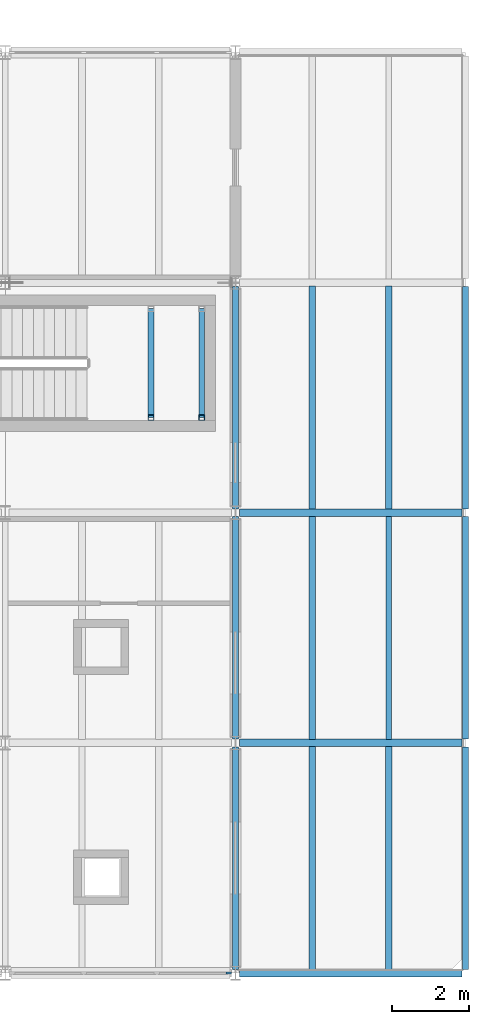
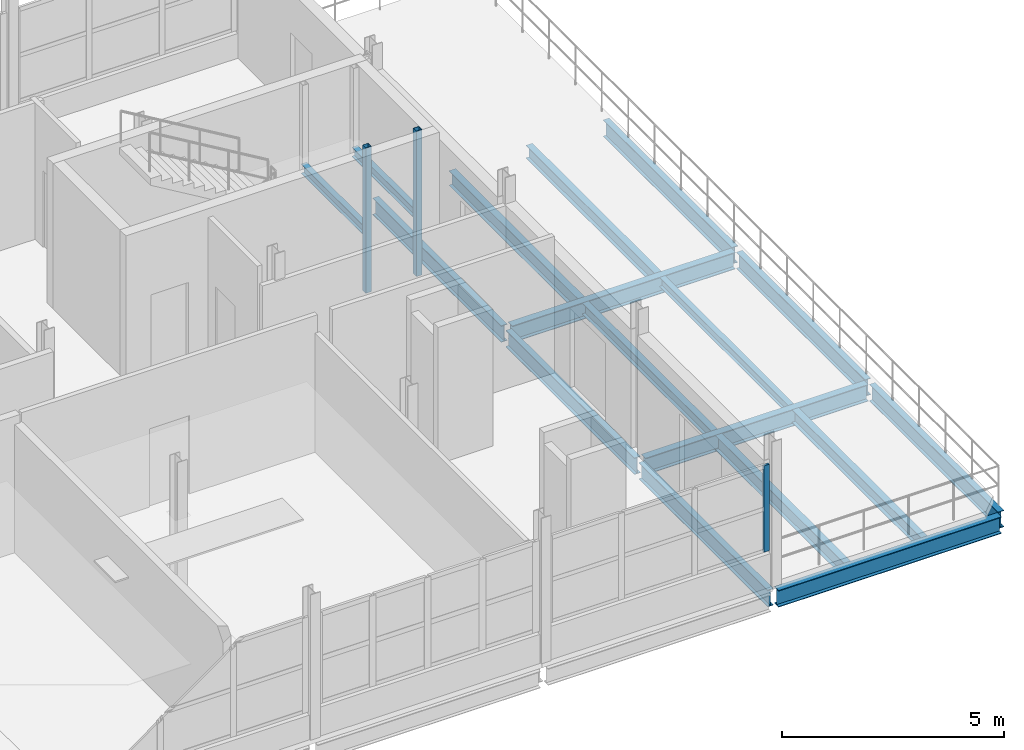
# One storey, part 9 of 23: 17 beams, 3 members, 1 element without a shape of its own.
"""IFC4 building model written with IfcOpenShell, lengths in metres."""

import ifcopenshell
import ifcopenshell.guid

model = None  # the IFC model being written
_history = None  # IfcOwnerHistory: only IFC2X3 demands one
_inside = {}  # id of a spatial element -> (the spatial element, [elements in it])
_under = {}  # id of a project, library or spatial element -> (it, [spatial elements below it])
_declared = {}  # id of a project -> (the project, [libraries it declares])
_typed = {}  # id of a type object -> (the type object, [elements of that type])
_made_of = {}  # id of a material, layer set ... -> (it, [elements and type objects made of it])


def new_model(schema):
    """Start an empty IFC model of exactly this schema.

    Asked for "IFC4X3", IfcOpenShell would pick the latest addendum, in which some entities
    have other attributes; the version numbers below select the first issue.
    IFC2X3 requires an IfcOwnerHistory on every rooted entity: one is made here for all.
    """
    global model, _history
    if schema == "IFC4X3":
        model = ifcopenshell.file(schema_version=(4, 3, 0, 0))
    else:
        model = ifcopenshell.file(schema=schema)
    _inside.clear()
    _under.clear()
    _declared.clear()
    _typed.clear()
    _made_of.clear()
    _history = None
    if model.schema == "IFC2X3":
        org = make("IfcOrganization", Name="unknown")
        user = make(
            "IfcPersonAndOrganization",
            ThePerson=make("IfcPerson", FamilyName="unknown"),
            TheOrganization=org,
        )
        app = make(
            "IfcApplication",
            ApplicationDeveloper=org,
            Version="unknown",
            ApplicationFullName="unknown",
            ApplicationIdentifier="unknown",
        )
        _history = make(
            "IfcOwnerHistory",
            OwningUser=user,
            OwningApplication=app,
            ChangeAction="ADDED",
            CreationDate=0,
        )
    return model


def make(cls, **values):
    """One entity of the class cls with the attributes given. An attribute that is None is left unset."""
    return model.create_entity(
        cls, **{name: value for name, value in values.items() if value is not None}
    )


def rooted(cls, **values):
    """An entity with a GlobalId (a new one), such as an element, a storey or a relation."""
    return make(cls, GlobalId=ifcopenshell.guid.new(), OwnerHistory=_history, **values)


def si_unit(unit_type, name, prefix=None):
    """IfcSIUnit, for example si_unit("LENGTHUNIT", "METRE", prefix="MILLI")."""
    return make("IfcSIUnit", UnitType=unit_type, Prefix=prefix, Name=name)


def assignment(units):
    """IfcUnitAssignment: the units of a project."""
    return None if units is None else make("IfcUnitAssignment", Units=units)


def point(xyz):
    """IfcCartesianPoint."""
    return None if xyz is None else make("IfcCartesianPoint", Coordinates=xyz)


def direction(xyz):
    """IfcDirection."""
    return None if xyz is None else make("IfcDirection", DirectionRatios=xyz)


def frame(location, z_axis=None, x_axis=None):
    """IfcAxis2Placement3D, a coordinate frame: its origin and axes. An axis left out is left unset."""
    return make(
        "IfcAxis2Placement3D",
        Location=point(location),
        Axis=direction(z_axis),
        RefDirection=direction(x_axis),
    )


def frame_2d(location, x_axis=None):
    """IfcAxis2Placement2D, a coordinate frame in the plane: its origin and x axis."""
    return make(
        "IfcAxis2Placement2D", Location=point(location), RefDirection=direction(x_axis)
    )


def origin():
    """The frame at (0, 0, 0) with its axes left unset."""
    return frame((0.0, 0.0, 0.0))


def origin_2d():
    """The frame at (0, 0) in the plane with its x axis left unset."""
    return frame_2d((0.0, 0.0))


def place(relative_to, where):
    """IfcLocalPlacement: puts the frame where relative to a parent placement (None: the world)."""
    return make(
        "IfcLocalPlacement", PlacementRelTo=relative_to, RelativePlacement=where
    )


def context(
    kind, dimensions, precision=None, world=None, true_north=None, identifier=None
):
    """IfcGeometricRepresentationContext, for example the 3D "Model" context."""
    return make(
        "IfcGeometricRepresentationContext",
        ContextIdentifier=identifier,
        ContextType=kind,
        CoordinateSpaceDimension=dimensions,
        Precision=precision,
        WorldCoordinateSystem=world,
        TrueNorth=true_north,
    )


def subcontext(parent, identifier, kind, view, scale=None):
    """IfcGeometricRepresentationSubContext, for example "Body" below "Model"."""
    return make(
        "IfcGeometricRepresentationSubContext",
        ContextIdentifier=identifier,
        ContextType=kind,
        ParentContext=parent,
        TargetScale=scale,
        TargetView=view,
    )


def project(units=None, contexts=None):
    """IfcProject with its units and contexts."""
    return rooted(
        "IfcProject",
        Name="project",
        RepresentationContexts=contexts,
        UnitsInContext=assignment(units),
    )


def spatial(cls, under=None, at=None, **own):
    """A site, building, storey or space (cls), placed at a placement, below another one or the project."""
    s = rooted(cls, ObjectPlacement=at, **own)
    if under is not None:
        _under.setdefault(under.id(), (under, []))[1].append(s)
    return s


def profile(cls, at=None, kind="AREA", **sizes):
    """A parametric profile (cls). Its sizes go by their IFC names, for example OverallWidth=200.0."""
    return make(cls, ProfileType=kind, Position=at, **sizes)


def rectangle(**sizes):
    """IfcRectangleProfileDef."""
    return profile("IfcRectangleProfileDef", **sizes)


def hollow_rectangle(**sizes):
    """IfcRectangleHollowProfileDef."""
    return profile("IfcRectangleHollowProfileDef", **sizes)


def i_section(**sizes):
    """IfcIShapeProfileDef."""
    return profile("IfcIShapeProfileDef", **sizes)


def extrude(swept, where, along, depth):
    """IfcExtrudedAreaSolid: the profile swept, set in the frame where, extruded along a direction by depth."""
    return make(
        "IfcExtrudedAreaSolid",
        SweptArea=swept,
        Position=where,
        ExtrudedDirection=direction(along),
        Depth=depth,
    )


def shape(context_of_items, identifier, shape_type, items):
    """IfcShapeRepresentation: the items that make up one representation, for example the "Body"."""
    return make(
        "IfcShapeRepresentation",
        ContextOfItems=context_of_items,
        RepresentationIdentifier=identifier,
        RepresentationType=shape_type,
        Items=items,
    )


def material(Name=None, Category=None):
    """IfcMaterial."""
    return make("IfcMaterial", Name=Name, Category=Category)


def material_profile(
    of_material, cross_section, Name=None, Category=None, Priority=None
):
    """IfcMaterialProfile: a cross section and its material."""
    return make(
        "IfcMaterialProfile",
        Name=Name,
        Material=of_material,
        Profile=cross_section,
        Priority=Priority,
        Category=Category,
    )


def profile_set(profiles, Name=None, composite=None):
    """IfcMaterialProfileSet."""
    return make(
        "IfcMaterialProfileSet",
        Name=Name,
        MaterialProfiles=profiles,
        CompositeProfile=composite,
    )


def made_of(thing, what):
    """Note that an element or type object is made of a material, layer set ...; save() writes the relation."""
    if what is not None:
        _made_of.setdefault(what.id(), (what, []))[1].append(thing)
    return thing


def type_object(cls, material=None, **own):
    """A type object (cls), such as IfcWallType, which elements share."""
    return made_of(rooted(cls, **own), material)


def element(
    cls,
    number,
    at=None,
    inside=None,
    cuts=None,
    type_object=None,
    material=None,
    context=None,
    identifier="Body",
    shape_type=None,
    held_by="IfcProductDefinitionShape",
    body=None,
    shapes=None,
    **own,
):
    """One element of the class cls, such as IfcWall. Its Tag is "e" and its number.

    at: its placement. inside: the storey or other place that contains it. cuts: it is an
    opening in that element (IfcRelVoidsElement). A single representation is given by context,
    identifier, shape_type and body (its items); several are given by shapes. held_by: the class
    of the entity that holds the representations. save() writes the other relations.
    """
    e = rooted(cls, Tag="e%d" % number, ObjectPlacement=at, **own)
    if body is not None:
        shapes = [shape(context, identifier, shape_type, body)]
    if shapes is not None:
        e.Representation = make(held_by, Representations=shapes)
    if inside is not None:
        _inside.setdefault(inside.id(), (inside, []))[1].append(e)
    if cuts is not None:
        rooted(
            "IfcRelVoidsElement", RelatingBuildingElement=cuts, RelatedOpeningElement=e
        )
    if type_object is not None:
        _typed.setdefault(type_object.id(), (type_object, []))[1].append(e)
    return made_of(e, material)


def aggregate(whole, parts):
    """IfcRelAggregates: a whole, such as a stair, and the parts it consists of."""
    return rooted("IfcRelAggregates", RelatingObject=whole, RelatedObjects=parts)


def save(model, path):
    """Write the relations noted so far, then the file.

    IfcRelAggregates (storeys below a building ...), IfcRelContainedInSpatialStructure (elements
    in a storey), IfcRelDefinesByType, IfcRelAssociatesMaterial and IfcRelDeclares: one each for
    every whole, place, type object, material and project.
    """
    for whole, parts in _under.values():
        aggregate(whole, parts)
    for where, things in _inside.values():
        rooted(
            "IfcRelContainedInSpatialStructure",
            RelatedElements=things,
            RelatingStructure=where,
        )
    for kind, things in _typed.values():
        rooted("IfcRelDefinesByType", RelatedObjects=things, RelatingType=kind)
    for what, things in _made_of.values():
        rooted("IfcRelAssociatesMaterial", RelatedObjects=things, RelatingMaterial=what)
    for by, libraries in _declared.values():
        rooted("IfcRelDeclares", RelatingContext=by, RelatedDefinitions=libraries)
    model.write(path)


model = new_model("IFC4")

# Units and contexts
model_context = context("Model", 3, precision=1e-05, world=origin(), true_north=direction((0.0, 1.0)))
body_context = subcontext(model_context, "Body", "Model", "MODEL_VIEW")
ifc_project = project(units=[si_unit("LENGTHUNIT", "METRE"), si_unit("AREAUNIT", "SQUARE_METRE"), si_unit("VOLUMEUNIT", "CUBIC_METRE"), si_unit("PLANEANGLEUNIT", "RADIAN"), si_unit("MASSUNIT", "GRAM", prefix="KILO")], contexts=[model_context])

# Site, building, storey
site_placement = place(None, origin())
site = spatial("IfcSite", under=ifc_project, at=site_placement, CompositionType="ELEMENT")
building_placement = place(site_placement, origin())
building = spatial("IfcBuilding", under=site, at=building_placement, Name="Siltcreek Boulevard Central Fire Station", CompositionType="ELEMENT")
storey_placement = place(building_placement, frame((0.0, 0.0, 14.0)))
storey = spatial("IfcBuildingStorey", under=building, at=storey_placement, Name="L04", CompositionType="ELEMENT", Elevation=14.0)

# Beams
ifc_material_1 = material(Name="Structural steel ASTM A992 Gr50", Category="steel")
ifc_material_profile_1 = material_profile(ifc_material_1, i_section(OverallWidth=0.154052734375, OverallDepth=0.458984375, WebThickness=0.009033203125, FlangeThickness=0.015380859375, at=origin_2d()), Name="W460X68")
ifc_profile_set_1 = profile_set([ifc_material_profile_1], Name="Structural steel ASTM A992 Gr50")
beam_type_1 = type_object("IfcBeamType", Name="BM_W460X68", PredefinedType="BEAM", material=ifc_profile_set_1)
for number, where, z_axis, x_axis, name in (
    (1, (154.199951171875, 88.300048828125, -0.489501953125), (0.0, 1.0, 0.0), (-1.0, 0.0, 0.0), "L04 primary steel girder GY-0586"),
    (2, (154.199951171875, 94.300048828125, -0.489501953125), (0.0, 1.0, 0.0), (-1.0, 0.0, 0.0), "L04 primary steel girder GY-0587"),
    (3, (154.199951171875, 100.300048828125, -0.489501953125), (0.0, 1.0, 0.0), (-1.0, 0.0, 0.0), "L04 primary steel girder GY-0588"),
    (4, (160.199951171875, 88.300048828125, -0.439453125), (0.0, 1.0, 0.0), (-1.0, 0.0, 0.0), "L04 primary steel girder GY-0590"),
    (5, (160.199951171875, 94.300048828125, -0.439453125), (0.0, 1.0, 0.0), (-1.0, 0.0, 0.0), "L04 primary steel girder GY-0591"),
    (6, (160.199951171875, 100.300048828125, -0.439453125), (0.0, 1.0, 0.0), (-1.0, 0.0, 0.0), "L04 primary steel girder GY-0592"),
):
    element("IfcBeam", number, at=place(storey_placement, frame(where, z_axis=z_axis, x_axis=x_axis)), inside=storey, type_object=beam_type_1, Name=name, PredefinedType="BEAM", context=body_context, shape_type="SweptSolid", body=[
        extrude(i_section(OverallWidth=0.154052734375, OverallDepth=0.458984375, WebThickness=0.009033203125, FlangeThickness=0.015380859375, at=origin_2d()), origin(), (0.0, 0.0, 1.0), 5.800048828125),
    ])
ifc_material_profile_2 = material_profile(ifc_material_1, i_section(OverallWidth=0.19189453125, OverallDepth=0.462890625, WebThickness=0.010498046875, FlangeThickness=0.017578125, at=origin_2d()), Name="W460X89")
ifc_profile_set_2 = profile_set([ifc_material_profile_2], Name="Structural steel ASTM A992 Gr50")
beam_type_2 = type_object("IfcBeamType", Name="BM_W460X89", PredefinedType="BEAM", material=ifc_profile_set_2)
for number, where, z_axis, x_axis, name in (
    (7, (154.300048828125, 88.199951171875, -0.44140625), (1.0, 0.0, 0.0), (0.0, 1.0, 0.0), "L04 primary steel girder GX-0543"),
    (8, (154.300048828125, 94.199951171875, -0.44140625), (1.0, 0.0, 0.0), (0.0, 1.0, 0.0), "L04 primary steel girder GX-0549"),
    (9, (154.300048828125, 100.199951171875, -0.44140625), (1.0, 0.0, 0.0), (0.0, 1.0, 0.0), "L04 primary steel girder GX-0555"),
):
    element("IfcBeam", number, at=place(storey_placement, frame(where, z_axis=z_axis, x_axis=x_axis)), inside=storey, type_object=beam_type_2, Name=name, PredefinedType="BEAM", context=body_context, shape_type="SweptSolid", body=[
        extrude(i_section(OverallWidth=0.19189453125, OverallDepth=0.462890625, WebThickness=0.010498046875, FlangeThickness=0.017578125, at=origin_2d()), origin(), (0.0, 0.0, 1.0), 5.800048828125),
    ])

# Members
ifc_material_2 = material(Name="Structural steel ASTM A500 GrC", Category="steel")
ifc_material_profile_3 = material_profile(ifc_material_2, hollow_rectangle(XDim=0.14990234375, YDim=0.14990234375, WallThickness=0.008056640625, at=origin_2d()), Name="HSS150X150X8.0")
ifc_profile_set_3 = profile_set([ifc_material_profile_3], Name="Structural steel ASTM A500 GrC")
member_type_1 = type_object("IfcMemberType", Name="BR_HSS150_8", PredefinedType="BRACE", material=ifc_profile_set_3)
for number, where, z_axis, x_axis, name in (
    (10, (152.0, 102.679931640625, 0.0), (0.0, 0.0, 1.0), (1.0, 0.0, 0.0), "L04 ST-V5B stair landing corner post SW"),
    (11, (153.320068359375, 102.679931640625, 0.0), (0.0, 0.0, 1.0), (1.0, 0.0, 0.0), "L04 ST-V5B stair landing corner post SE"),
):
    element("IfcMember", number, at=place(storey_placement, frame(where, z_axis=z_axis, x_axis=x_axis)), inside=storey, type_object=member_type_1, Name=name, PredefinedType="BRACE", context=body_context, shape_type="SweptSolid", body=[
        extrude(hollow_rectangle(XDim=0.14990234375, YDim=0.14990234375, WallThickness=0.008056640625, at=origin_2d()), origin(), (0.0, 0.0, 1.0), 4.0),
    ])

# Curtain wall, member
ifc_material_3 = material(Name="Anodized aluminum and low-E insulated glazing", Category="aluminium")
curtain_wall_type = type_object("IfcCurtainWallType", Name="CW_SYS_18", PredefinedType="USERDEFINED", material=ifc_material_3)
curtain_wall_placement = place(storey_placement, origin())
curtain_wall = element("IfcCurtainWall", 12, at=curtain_wall_placement, inside=storey, type_object=curtain_wall_type, Name="L04 V5 unitised curtain wall CW-167", ObjectType="CURTAIN WALL", PredefinedType="USERDEFINED")
ifc_material_4 = material(Name="Anodized 6063-T6 aluminum framing", Category="aluminium")
ifc_material_profile_4 = material_profile(ifc_material_4, rectangle(XDim=0.06005859375, YDim=0.14990234375, at=origin_2d()), Name="MULL60X150")
ifc_profile_set_4 = profile_set([ifc_material_profile_4], Name="Anodized 6063-T6 aluminum framing")
member_type_2 = type_object("IfcMemberType", Name="CWM_60X150", PredefinedType="MULLION", material=ifc_profile_set_4)
member_placement = place(storey_placement, frame((154.02490234375, 88.199951171875, 0.919921875), z_axis=(0.0, 0.0, 1.0), x_axis=(0.0, 1.0, 0.0)))
member = element("IfcMember", 13, at=member_placement, type_object=member_type_2, Name="CW-167 mullion 4", PredefinedType="MULLION", context=body_context, shape_type="SweptSolid", body=[
    extrude(rectangle(XDim=0.06005859375, YDim=0.14990234375, at=origin_2d()), origin(), (0.0, 0.0, 1.0), 2.379150390625),
])
aggregate(curtain_wall, [member])

# Beams
ifc_material_profile_5 = material_profile(ifc_material_1, i_section(OverallWidth=0.14697265625, OverallDepth=0.261962890625, WebThickness=0.006591796875, FlangeThickness=0.01123046875, at=origin_2d()), Name="W250X39")
ifc_profile_set_5 = profile_set([ifc_material_profile_5], Name="Structural steel ASTM A992 Gr50")
beam_type_3 = type_object("IfcBeamType", Name="JST_W250X39", PredefinedType="JOIST", material=ifc_profile_set_5)
beam_1_placement = place(storey_placement, frame((158.199951171875, 94.2939453125, -0.341064453125), z_axis=(0.0, 1.0, 0.0), x_axis=(-1.0, 0.0, 0.0)))
element("IfcBeam", 14, at=beam_1_placement, inside=storey, type_object=beam_type_3, Name="L04 secondary steel floor joist 0484", PredefinedType="JOIST", context=body_context, shape_type="SweptSolid", body=[
    extrude(i_section(OverallWidth=0.14697265625, OverallDepth=0.261962890625, WebThickness=0.006591796875, FlangeThickness=0.01123046875, at=origin_2d()), origin(), (0.0, 0.0, 1.0), 5.81201171875),
])
for number, where, z_axis, x_axis, name in (
    (15, (152.0, 102.679931640625, 1.6689453125), (0.0, 1.0, 0.0), (-1.0, 0.0, 0.0), "L04 ST-V5B stair landing bearer MIDW"),
    (16, (153.320068359375, 102.679931640625, 1.6689453125), (0.0, 1.0, 0.0), (-1.0, 0.0, 0.0), "L04 ST-V5B stair landing bearer MIDE"),
):
    element("IfcBeam", number, at=place(storey_placement, frame(where, z_axis=z_axis, x_axis=x_axis)), inside=storey, type_object=beam_type_3, Name=name, PredefinedType="JOIST", context=body_context, shape_type="SweptSolid", body=[
        extrude(i_section(OverallWidth=0.14697265625, OverallDepth=0.261962890625, WebThickness=0.006591796875, FlangeThickness=0.01123046875, at=origin_2d()), origin(), (0.0, 0.0, 1.0), 2.840087890625),
    ])
ifc_material_profile_6 = material_profile(ifc_material_1, i_section(OverallWidth=0.166015625, OverallDepth=0.31298828125, WebThickness=0.006591796875, FlangeThickness=0.01123046875, at=origin_2d()), Name="W310X45")
ifc_profile_set_6 = profile_set([ifc_material_profile_6], Name="Structural steel ASTM A992 Gr50")
beam_type_4 = type_object("IfcBeamType", Name="JST_W310X45", PredefinedType="JOIST", material=ifc_profile_set_6)
beam_2_placement = place(storey_placement, frame((156.199951171875, 94.2939453125, -0.366455078125), z_axis=(0.0, 1.0, 0.0), x_axis=(-1.0, 0.0, 0.0)))
element("IfcBeam", 17, at=beam_2_placement, inside=storey, type_object=beam_type_4, Name="L04 secondary steel floor joist 0483", PredefinedType="JOIST", context=body_context, shape_type="SweptSolid", body=[
    extrude(i_section(OverallWidth=0.166015625, OverallDepth=0.31298828125, WebThickness=0.006591796875, FlangeThickness=0.01123046875, at=origin_2d()), origin(), (0.0, 0.0, 1.0), 5.81201171875),
])
ifc_material_profile_7 = material_profile(ifc_material_1, i_section(OverallWidth=0.172119140625, OverallDepth=0.35791015625, WebThickness=0.0078125, FlangeThickness=0.01318359375, at=origin_2d()), Name="W360X57")
ifc_profile_set_7 = profile_set([ifc_material_profile_7], Name="Structural steel ASTM A992 Gr50")
beam_type_5 = type_object("IfcBeamType", Name="JST_W360X57", PredefinedType="JOIST", material=ifc_profile_set_7)
for number, where, z_axis, x_axis, name in (
    (18, (158.199951171875, 88.2939453125, -0.388916015625), (0.0, 1.0, 0.0), (-1.0, 0.0, 0.0), "L04 secondary steel floor joist 0472"),
    (19, (158.199951171875, 100.2939453125, -0.388916015625), (0.0, 1.0, 0.0), (-1.0, 0.0, 0.0), "L04 secondary steel floor joist 0492"),
):
    element("IfcBeam", number, at=place(storey_placement, frame(where, z_axis=z_axis, x_axis=x_axis)), inside=storey, type_object=beam_type_5, Name=name, PredefinedType="JOIST", context=body_context, shape_type="SweptSolid", body=[
        extrude(i_section(OverallWidth=0.172119140625, OverallDepth=0.35791015625, WebThickness=0.0078125, FlangeThickness=0.01318359375, at=origin_2d()), origin(), (0.0, 0.0, 1.0), 5.81201171875),
    ])
ifc_material_profile_8 = material_profile(ifc_material_1, i_section(OverallWidth=0.177001953125, OverallDepth=0.403076171875, WebThickness=0.007568359375, FlangeThickness=0.010986328125, at=origin_2d()), Name="W410X53")
ifc_profile_set_8 = profile_set([ifc_material_profile_8], Name="Structural steel ASTM A992 Gr50")
beam_type_6 = type_object("IfcBeamType", Name="JST_W410X53", PredefinedType="JOIST", material=ifc_profile_set_8)
for number, where, z_axis, x_axis, name in (
    (20, (156.199951171875, 88.2939453125, -0.41162109375), (0.0, 1.0, 0.0), (-1.0, 0.0, 0.0), "L04 secondary steel floor joist 0471"),
    (21, (156.199951171875, 100.2939453125, -0.41162109375), (0.0, 1.0, 0.0), (-1.0, 0.0, 0.0), "L04 secondary steel floor joist 0491"),
):
    element("IfcBeam", number, at=place(storey_placement, frame(where, z_axis=z_axis, x_axis=x_axis)), inside=storey, type_object=beam_type_6, Name=name, PredefinedType="JOIST", context=body_context, shape_type="SweptSolid", body=[
        extrude(i_section(OverallWidth=0.177001953125, OverallDepth=0.403076171875, WebThickness=0.007568359375, FlangeThickness=0.010986328125, at=origin_2d()), origin(), (0.0, 0.0, 1.0), 5.81201171875),
    ])

save(model, "model.ifc")
